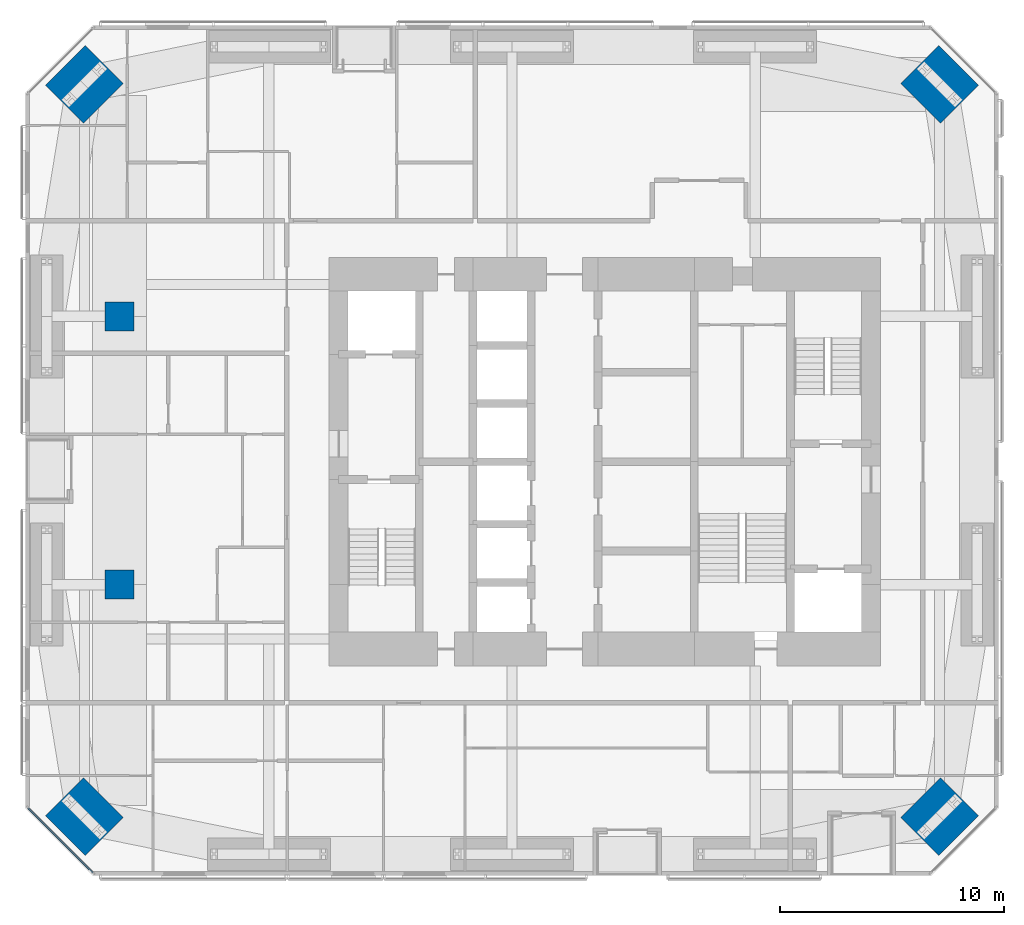
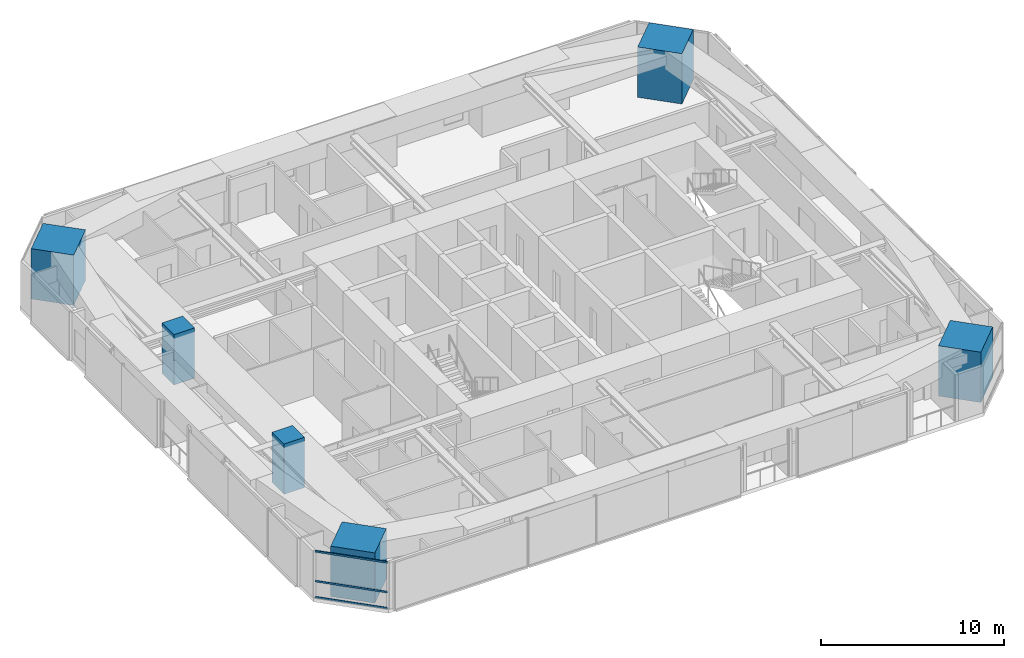
# One storey, part 1 of 24: 6 columns, 3 members, 1 element without a shape of its own.
"""IFC4 building model written with IfcOpenShell, lengths in metres."""

from ifc_helpers import new_model, si_unit, direction, frame, origin, origin_2d, place, context, subcontext, project, spatial, rectangle, extrude, material, material_profile, profile_set, type_object, element, aggregate, save


model = new_model("IFC4")

# Units and contexts
model_context = context("Model", 3, precision=1e-05, world=origin(), true_north=direction((0.0, 1.0)))
body_context = subcontext(model_context, "Body", "Model", "MODEL_VIEW")
ifc_project = project(units=[si_unit("LENGTHUNIT", "METRE"), si_unit("AREAUNIT", "SQUARE_METRE"), si_unit("VOLUMEUNIT", "CUBIC_METRE"), si_unit("PLANEANGLEUNIT", "RADIAN"), si_unit("MASSUNIT", "GRAM", prefix="KILO")], contexts=[model_context])

# Site, building, storey
site_placement = place(None, origin())
site = spatial("IfcSite", under=ifc_project, at=site_placement, CompositionType="ELEMENT")
building_placement = place(site_placement, origin())
building = spatial("IfcBuilding", under=site, at=building_placement, Name="Jalousie Tower", CompositionType="ELEMENT")
storey_placement = place(building_placement, frame((0.0, 0.0, 131.64990234375)))
storey = spatial("IfcBuildingStorey", under=building, at=storey_placement, Name="L36", CompositionType="ELEMENT", Elevation=131.64990234375)

# Columns
ifc_material_1 = material(Name="Concrete f'c 120 MPa", Category="concrete")
ifc_material_profile_1 = material_profile(ifc_material_1, rectangle(XDim=1.300048828125, YDim=1.300048828125, at=origin_2d()), Name="RC 1300x1300")
ifc_profile_set_1 = profile_set([ifc_material_profile_1], Name="Concrete f'c 120 MPa")
column_type_1 = type_object("IfcColumnType", Name="RC COLUMN 1300x1300", PredefinedType="COLUMN", material=ifc_profile_set_1)
for number, where, z_axis, x_axis, name in (
    (1, (10.199951171875, 13.0, 0.0), (0.0, 0.0, 1.0), (1.0, 0.0, 0.0), "Interior column IB1 L36"),
    (2, (10.199951171875, 25.0, 0.0), (0.0, 0.0, 1.0), (1.0, 0.0, 0.0), "Interior column IB2 L36"),
):
    element("IfcColumn", number, at=place(storey_placement, frame(where, z_axis=z_axis, x_axis=x_axis)), inside=storey, type_object=column_type_1, Name=name, PredefinedType="COLUMN", context=body_context, shape_type="SweptSolid", body=[
        extrude(rectangle(XDim=1.300048828125, YDim=1.300048828125, at=origin_2d()), origin(), (0.0, 0.0, 1.0), 3.35009765625),
    ])
ifc_material_2 = material(Name="Concrete f'c 120 MPa", Category="concrete")
ifc_material_profile_2 = material_profile(ifc_material_2, rectangle(XDim=2.39990234375, YDim=2.5, at=origin_2d()), Name="RC 2400x2500")
ifc_profile_set_2 = profile_set([ifc_material_profile_2], Name="Concrete f'c 120 MPa")
column_type_2 = type_object("IfcColumnType", Name="RC CORNER COLUMN 2400x2500", PredefinedType="COLUMN", material=ifc_profile_set_2)
for number, where, z_axis, x_axis, name in (
    (3, (8.63134765625, 2.63134765625, 0.0), (0.0, 0.0, 1.0), (0.707106781187, 0.707106781187, 0.0), "Corner column 01 L36"),
    (4, (46.86865234375, 2.63134765625, 0.0), (0.0, 0.0, 1.0), (-0.707106781187, 0.707106781187, 0.0), "Corner column 05 L36"),
    (5, (46.86865234375, 35.36865234375, 0.0), (0.0, 0.0, 1.0), (-0.707106781187, -0.707106781187, 0.0), "Corner column 08 L36"),
    (6, (8.63134765625, 35.36865234375, 0.0), (0.0, 0.0, 1.0), (0.707106781187, -0.707106781187, 0.0), "Corner column 12 L36"),
):
    element("IfcColumn", number, at=place(storey_placement, frame(where, z_axis=z_axis, x_axis=x_axis)), inside=storey, type_object=column_type_2, Name=name, PredefinedType="COLUMN", context=body_context, shape_type="SweptSolid", body=[
        extrude(rectangle(XDim=2.39990234375, YDim=2.5, at=origin_2d()), origin(), (0.0, 0.0, 1.0), 3.35009765625),
    ])

# Curtain wall, members
ifc_material_3 = material(Name="Aluminium curtain wall", Category="aluminium")
curtain_wall_type = type_object("IfcCurtainWallType", Name="CORNER WINDOW WALL", PredefinedType="USERDEFINED", material=ifc_material_3)
curtain_wall_placement = place(storey_placement, origin())
curtain_wall = element("IfcCurtainWall", 7, at=curtain_wall_placement, inside=storey, type_object=curtain_wall_type, Name="Corner Window Wall L36 8", ObjectType="CORNER WINDOW WALL", PredefinedType="USERDEFINED")
ifc_material_4 = material(Name="Aluminium transom", Category="aluminium")
ifc_material_profile_3 = material_profile(ifc_material_4, rectangle(XDim=0.06005859375, YDim=0.1201171875, at=origin_2d()), Name="TRANSOM 60x120")
ifc_profile_set_3 = profile_set([ifc_material_profile_3], Name="Aluminium transom")
member_type = type_object("IfcMemberType", Name="CORNER WINDOW WALL TRANSOM", PredefinedType="USERDEFINED", material=ifc_profile_set_3)
member_1_placement = place(storey_placement, frame((6.1298828125, 3.0087890625, 0.030029296875), z_axis=(0.707106781187, -0.707106781187, 0.0), x_axis=(0.707106781187, 0.707106781187, 0.0)))
member_1 = element("IfcMember", 8, at=member_1_placement, type_object=member_type, Name="CW-C transom 1.1", ObjectType="TRANSOM", PredefinedType="USERDEFINED", context=body_context, shape_type="SweptSolid", body=[
    extrude(rectangle(XDim=0.06005859375, YDim=0.1201171875, at=origin_2d()), origin(), (0.0, 0.0, 1.0), 4.0712890625),
])
member_2_placement = place(storey_placement, frame((6.1298828125, 3.0087890625, 1.10009765625), z_axis=(0.707106781187, -0.707106781187, 0.0), x_axis=(0.707106781187, 0.707106781187, 0.0)))
member_2 = element("IfcMember", 9, at=member_2_placement, type_object=member_type, Name="CW-C transom 1.2", ObjectType="TRANSOM", PredefinedType="USERDEFINED", context=body_context, shape_type="SweptSolid", body=[
    extrude(rectangle(XDim=0.06005859375, YDim=0.1201171875, at=origin_2d()), origin(), (0.0, 0.0, 1.0), 4.0712890625),
])
member_3_placement = place(storey_placement, frame((6.1298828125, 3.0087890625, 3.080078125), z_axis=(0.707106781187, -0.707106781187, 0.0), x_axis=(0.707106781187, 0.707106781187, 0.0)))
member_3 = element("IfcMember", 10, at=member_3_placement, type_object=member_type, Name="CW-C transom 1.3", ObjectType="TRANSOM", PredefinedType="USERDEFINED", context=body_context, shape_type="SweptSolid", body=[
    extrude(rectangle(XDim=0.06005859375, YDim=0.1201171875, at=origin_2d()), origin(), (0.0, 0.0, 1.0), 4.0712890625),
])
aggregate(curtain_wall, [member_1, member_2, member_3])

save(model, "model.ifc")
